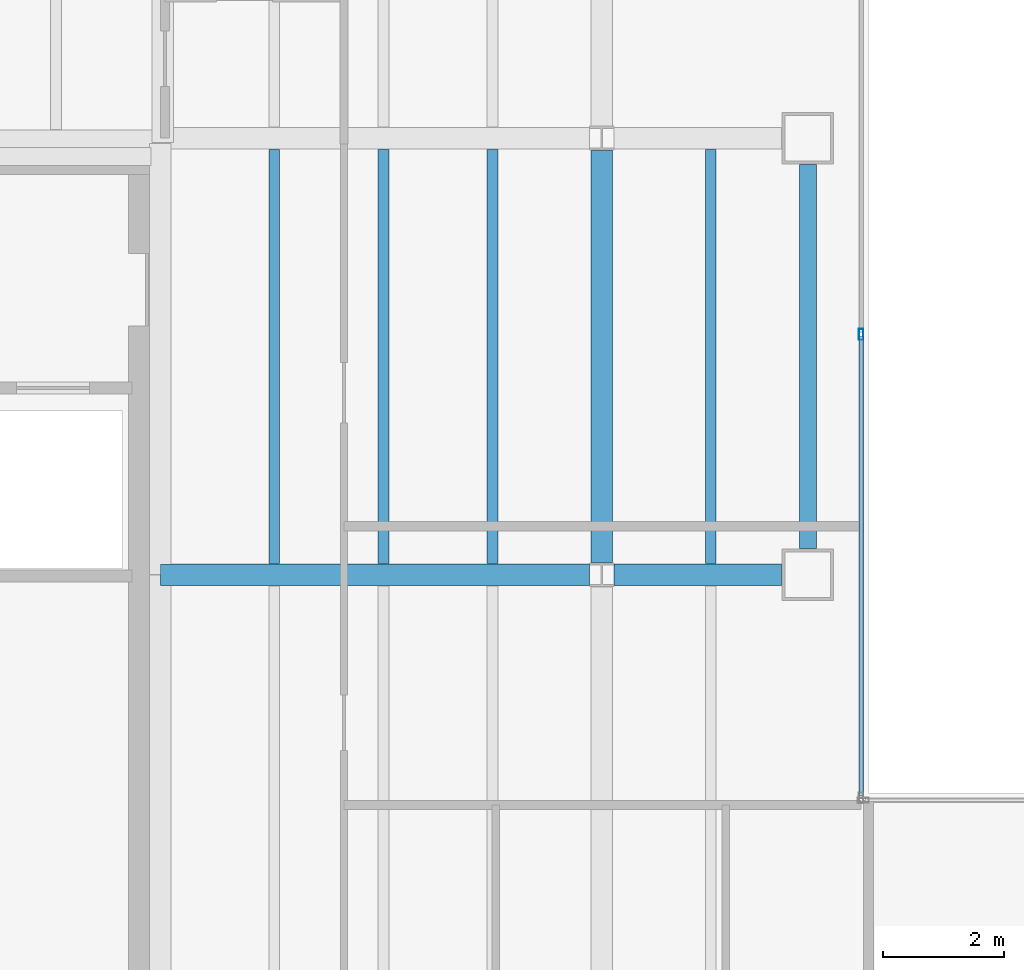
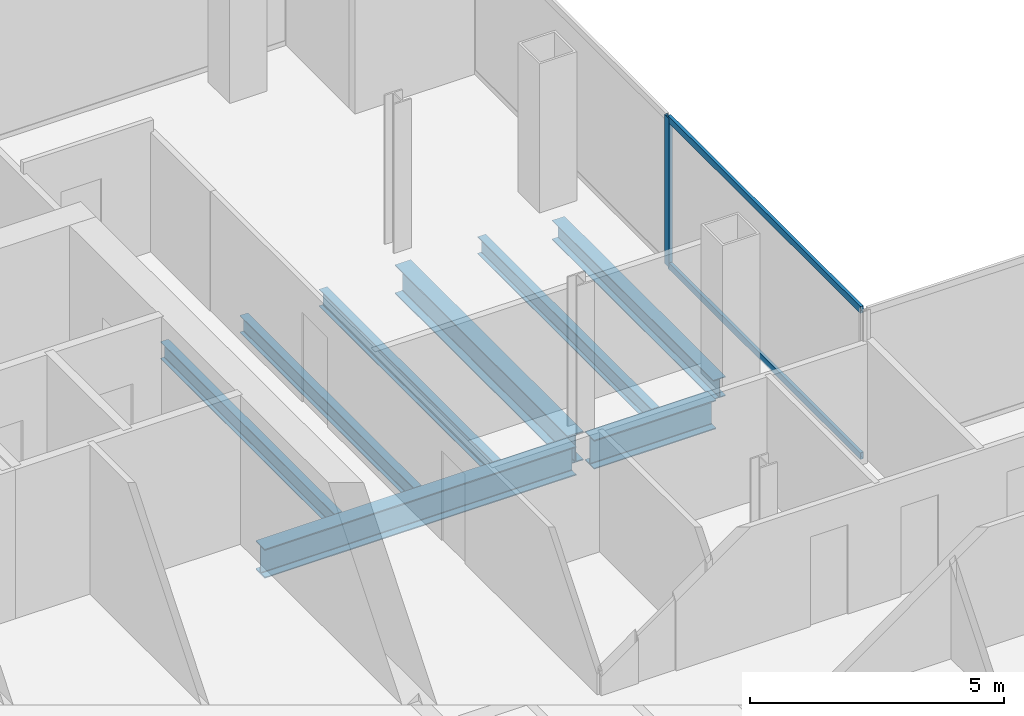
# One storey, part 8 of 23: 8 beams, 3 members, 1 element without a shape of its own.
"""IFC4 building model written with IfcOpenShell, lengths in metres."""

from ifc_helpers import new_model, si_unit, direction, frame, origin, origin_2d, place, context, subcontext, project, spatial, hollow_rectangle, i_section, extrude, material, material_profile, profile_set, type_object, element, aggregate, save


model = new_model("IFC4")

# Units and contexts
model_context = context("Model", 3, precision=1e-05, world=origin(), true_north=direction((0.0, 1.0)))
body_context = subcontext(model_context, "Body", "Model", "MODEL_VIEW")
ifc_project = project(units=[si_unit("LENGTHUNIT", "METRE"), si_unit("AREAUNIT", "SQUARE_METRE"), si_unit("VOLUMEUNIT", "CUBIC_METRE"), si_unit("PLANEANGLEUNIT", "RADIAN"), si_unit("MASSUNIT", "GRAM", prefix="KILO")], contexts=[model_context])

# Site, building, storey
site_placement = place(None, origin())
site = spatial("IfcSite", under=ifc_project, at=site_placement, CompositionType="ELEMENT")
building_placement = place(site_placement, origin())
building = spatial("IfcBuilding", under=site, at=building_placement, Name="Cobrela Telecom Tower", CompositionType="ELEMENT")
storey_placement = place(building_placement, frame((0.0, 0.0, 156.10009765625)))
storey = spatial("IfcBuildingStorey", under=building, at=storey_placement, Name="L39", CompositionType="ELEMENT", Elevation=156.10009765625)

# Beams
ifc_material_1 = material(Name="Steel ASTM A992 Grade 50", Category="steel")
ifc_material_profile_1 = material_profile(ifc_material_1, i_section(OverallWidth=0.35595703125, OverallDepth=0.696044921875, WebThickness=0.015380859375, FlangeThickness=0.024658203125, FilletRadius=0.01806640625, at=origin_2d()), Name="W27X146")
ifc_profile_set_1 = profile_set([ifc_material_profile_1], Name="Steel ASTM A992 Grade 50")
beam_type_1 = type_object("IfcBeamType", Name="BM-GIRD-05", PredefinedType="USERDEFINED", material=ifc_profile_set_1)
beam_1_placement = place(storey_placement, frame((14.324951171875, 28.800048828125, -0.6181640625), z_axis=(1.0, 0.0, 0.0), x_axis=(0.0, 1.0, 0.0)))
element("IfcBeam", 1, at=beam_1_placement, inside=storey, type_object=beam_type_1, Name="L39 Primary Girder X19", ObjectType="GIRDER", PredefinedType="USERDEFINED", context=body_context, shape_type="SweptSolid", body=[
    extrude(i_section(OverallWidth=0.35595703125, OverallDepth=0.696044921875, WebThickness=0.015380859375, FlangeThickness=0.024658203125, FilletRadius=0.01806640625, at=origin_2d()), origin(), (0.0, 0.0, 1.0), 7.070556640625),
])
beam_2_placement = place(storey_placement, frame((21.804443359375, 28.800048828125, -0.6181640625), z_axis=(1.0, 0.0, 0.0), x_axis=(0.0, 1.0, 0.0)))
element("IfcBeam", 2, at=beam_2_placement, inside=storey, type_object=beam_type_1, Name="L39 Primary Girder X20", ObjectType="GIRDER", PredefinedType="USERDEFINED", context=body_context, shape_type="SweptSolid", body=[
    extrude(i_section(OverallWidth=0.35595703125, OverallDepth=0.696044921875, WebThickness=0.015380859375, FlangeThickness=0.024658203125, FilletRadius=0.01806640625, at=origin_2d()), origin(), (0.0, 0.0, 1.0), 2.765625),
])
beam_3_placement = place(storey_placement, frame((21.60009765625, 29.00439453125, -0.6181640625), z_axis=(0.0, 1.0, 0.0), x_axis=(-1.0, 0.0, 0.0)))
element("IfcBeam", 3, at=beam_3_placement, inside=storey, type_object=beam_type_1, Name="L39 Primary Girder Y39", ObjectType="GIRDER", PredefinedType="USERDEFINED", context=body_context, shape_type="SweptSolid", body=[
    extrude(i_section(OverallWidth=0.35595703125, OverallDepth=0.696044921875, WebThickness=0.015380859375, FlangeThickness=0.024658203125, FilletRadius=0.01806640625, at=origin_2d()), origin(), (0.0, 0.0, 1.0), 6.791015625),
])
ifc_material_profile_2 = material_profile(ifc_material_1, i_section(OverallWidth=0.179931640625, OverallDepth=0.4169921875, WebThickness=0.010986328125, FlangeThickness=0.01806640625, FilletRadius=0.011962890625, at=origin_2d()), Name="W16X57")
ifc_profile_set_2 = profile_set([ifc_material_profile_2], Name="Steel ASTM A992 Grade 50")
beam_type_2 = type_object("IfcBeamType", Name="BM-JOIST-04", PredefinedType="JOIST", material=ifc_profile_set_2)
for number, where, z_axis, x_axis, name in (
    (4, (16.199951171875, 28.98291015625, -0.478515625), (0.0, 1.0, 0.0), (-1.0, 0.0, 0.0), "L39 Secondary Composite Floor Beam J07"),
    (5, (18.0, 28.98291015625, -0.478515625), (0.0, 1.0, 0.0), (-1.0, 0.0, 0.0), "L39 Secondary Composite Floor Beam J12"),
    (6, (19.800048828125, 28.98291015625, -0.478515625), (0.0, 1.0, 0.0), (-1.0, 0.0, 0.0), "L39 Secondary Composite Floor Beam J17"),
    (7, (23.39990234375, 28.98291015625, -0.478515625), (0.0, 1.0, 0.0), (-1.0, 0.0, 0.0), "L39 Secondary Composite Floor Beam J22"),
):
    element("IfcBeam", number, at=place(storey_placement, frame(where, z_axis=z_axis, x_axis=x_axis)), inside=storey, type_object=beam_type_2, Name=name, PredefinedType="JOIST", context=body_context, shape_type="SweptSolid", body=[
        extrude(i_section(OverallWidth=0.179931640625, OverallDepth=0.4169921875, WebThickness=0.010986328125, FlangeThickness=0.01806640625, FilletRadius=0.011962890625, at=origin_2d()), origin(), (0.0, 0.0, 1.0), 6.833984375),
    ])
ifc_material_profile_3 = material_profile(ifc_material_1, i_section(OverallWidth=0.281982421875, OverallDepth=0.467041015625, WebThickness=0.01220703125, FlangeThickness=0.01953125, FilletRadius=0.012939453125, at=origin_2d()), Name="W18X86")
ifc_profile_set_3 = profile_set([ifc_material_profile_3], Name="Steel ASTM A992 Grade 50")
beam_type_3 = type_object("IfcBeamType", Name="BM-SPAND-04", PredefinedType="SPANDREL", material=ifc_profile_set_3)
beam_4_placement = place(storey_placement, frame((25.0, 29.22998046875, -0.503662109375), z_axis=(0.0, 1.0, 0.0), x_axis=(-1.0, 0.0, 0.0)))
element("IfcBeam", 8, at=beam_4_placement, inside=storey, type_object=beam_type_3, Name="L39 Perimeter Spandrel Y41", PredefinedType="SPANDREL", context=body_context, shape_type="SweptSolid", body=[
    extrude(i_section(OverallWidth=0.281982421875, OverallDepth=0.467041015625, WebThickness=0.01220703125, FlangeThickness=0.01953125, FilletRadius=0.012939453125, at=origin_2d()), origin(), (0.0, 0.0, 1.0), 6.340087890625),
])

# Curtain wall, members
ifc_material_2 = material(Name="Anodized Bronze Aluminium 6063-T6", Category="aluminium")
curtain_wall_type = type_object("IfcCurtainWallType", Name="CW-SYS-TEL", PredefinedType="USERDEFINED", material=ifc_material_2)
curtain_wall_placement = place(storey_placement, origin())
curtain_wall = element("IfcCurtainWall", 9, at=curtain_wall_placement, inside=storey, type_object=curtain_wall_type, Name="L39 Unitised Bronze Curtain Wall 10", ObjectType="UNITISED CURTAIN WALL", PredefinedType="USERDEFINED")
ifc_material_profile_4 = material_profile(ifc_material_2, hollow_rectangle(XDim=0.074951171875, YDim=0.179931640625, WallThickness=0.00390625, at=origin_2d()), Name="ALU 75x180x4")
ifc_profile_set_4 = profile_set([ifc_material_profile_4], Name="Anodized Bronze Aluminium 6063-T6")
member_type_1 = type_object("IfcMemberType", Name="CW-SYS-TEL-MUL", PredefinedType="MULLION", material=ifc_profile_set_4)
member_1_placement = place(storey_placement, frame((25.8798828125, 32.764892578125, 0.0), z_axis=(0.0, 0.0, 1.0), x_axis=(1.0, 0.0, 0.0)))
member_1 = element("IfcMember", 10, at=member_1_placement, type_object=member_type_1, Name="CW-TEL mullion 2", PredefinedType="MULLION", context=body_context, shape_type="SweptSolid", body=[
    extrude(hollow_rectangle(XDim=0.074951171875, YDim=0.179931640625, WallThickness=0.00390625, at=origin_2d()), origin(), (0.0, 0.0, 1.0), 3.579833984375),
])
ifc_material_profile_5 = material_profile(ifc_material_2, hollow_rectangle(XDim=0.070068359375, YDim=0.159912109375, WallThickness=0.00390625, at=origin_2d()), Name="ALU 70x160x4")
ifc_profile_set_5 = profile_set([ifc_material_profile_5], Name="Anodized Bronze Aluminium 6063-T6")
member_type_2 = type_object("IfcMemberType", Name="CW-SYS-TEL-TRN", PredefinedType="USERDEFINED", material=ifc_profile_set_5)
member_2_placement = place(storey_placement, frame((25.8798828125, 32.7275390625, 0.034912109375), z_axis=(0.0, -1.0, 0.0), x_axis=(1.0, 0.0, 0.0)))
member_2 = element("IfcMember", 11, at=member_2_placement, type_object=member_type_2, Name="CW-TEL transom 2.1", ObjectType="TRANSOM", PredefinedType="USERDEFINED", context=body_context, shape_type="SweptSolid", body=[
    extrude(hollow_rectangle(XDim=0.070068359375, YDim=0.159912109375, WallThickness=0.00390625, at=origin_2d()), origin(), (0.0, 0.0, 1.0), 7.572509765625),
])
member_3_placement = place(storey_placement, frame((25.8798828125, 32.7275390625, 3.544921875), z_axis=(0.0, -1.0, 0.0), x_axis=(1.0, 0.0, 0.0)))
member_3 = element("IfcMember", 12, at=member_3_placement, type_object=member_type_2, Name="CW-TEL transom 2.2", ObjectType="TRANSOM", PredefinedType="USERDEFINED", context=body_context, shape_type="SweptSolid", body=[
    extrude(hollow_rectangle(XDim=0.070068359375, YDim=0.159912109375, WallThickness=0.00390625, at=origin_2d()), origin(), (0.0, 0.0, 1.0), 7.572509765625),
])
aggregate(curtain_wall, [member_1, member_2, member_3])

save(model, "model.ifc")
